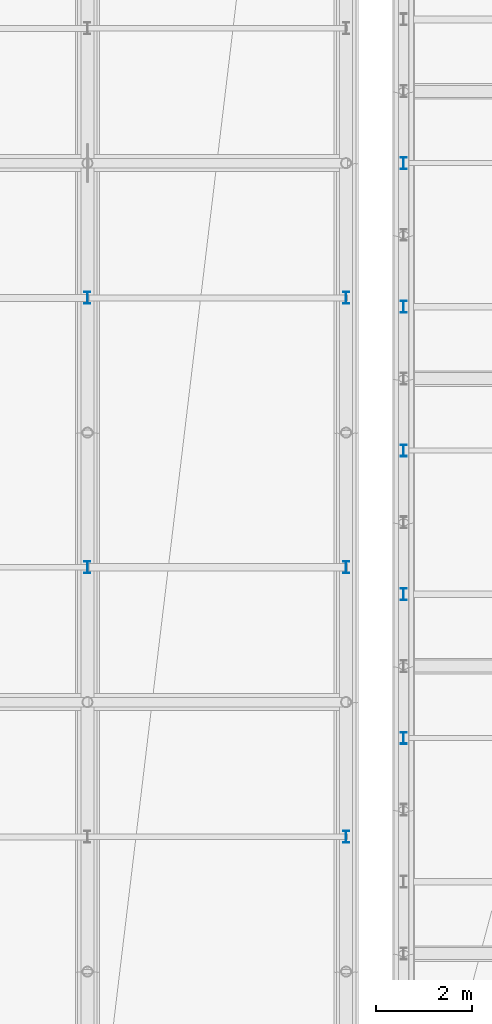
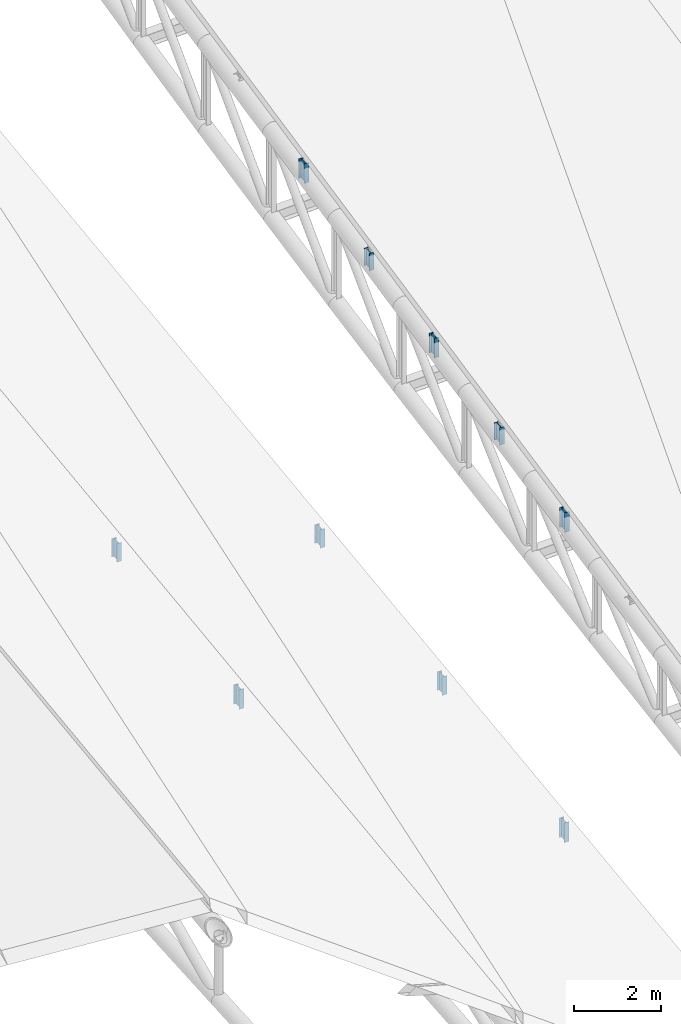
# One storey, part 80 of 109: 10 members.
"""IFC4 building model written with IfcOpenShell, lengths in metres."""

from ifc_helpers import new_model, si_unit, direction, frame, origin, origin_2d, place, context, subcontext, project, spatial, i_section, extrude, material, material_profile, profile_set, type_object, element, save


model = new_model("IFC4")

# Units and contexts
model_context = context("Model", 3, precision=1e-05, world=origin(), true_north=direction((0.0, 1.0)))
body_context = subcontext(model_context, "Body", "Model", "MODEL_VIEW")
ifc_project = project(units=[si_unit("LENGTHUNIT", "METRE"), si_unit("AREAUNIT", "SQUARE_METRE"), si_unit("VOLUMEUNIT", "CUBIC_METRE"), si_unit("PLANEANGLEUNIT", "RADIAN"), si_unit("MASSUNIT", "GRAM", prefix="KILO")], contexts=[model_context])

# Site, building, storey
site_placement = place(None, origin())
site = spatial("IfcSite", under=ifc_project, at=site_placement, CompositionType="ELEMENT")
building_placement = place(site_placement, origin())
building = spatial("IfcBuilding", under=site, at=building_placement, Name="Suirenkawa Promenade Aquatics Centre", CompositionType="ELEMENT")
storey_placement = place(building_placement, frame((0.0, 0.0, 22.800048828125)))
storey = spatial("IfcBuildingStorey", under=building, at=storey_placement, Name="ROOF", CompositionType="ELEMENT", Elevation=22.800048828125)

# Members
ifc_material = material(Name="Steel IS 2062 E350 (Grade 350)", Category="steel")
ifc_material_profile = material_profile(ifc_material, i_section(OverallWidth=0.125, OverallDepth=0.25, WebThickness=0.007080078125, FlangeThickness=0.012939453125, at=origin_2d()), Name="ISMB 250", Category="steel")
ifc_profile_set = profile_set([ifc_material_profile], Name="Steel IS 2062 E350 (Grade 350)")
member_type = type_object("IfcMemberType", Name="MT-WEB-CHS168", PredefinedType="BRACE", material=ifc_profile_set)
member_1_placement = place(storey_placement, frame((149.39990234375, 64.462890625, -11.906982421875), z_axis=(0.0, 0.0, 1.0), x_axis=(1.0, 0.0, 0.0)))
element("IfcMember", 1, at=member_1_placement, inside=storey, type_object=member_type, Name="ROOF TRUSS Purlin cleat post TD-03 MB-2342", PredefinedType="BRACE", context=body_context, shape_type="SweptSolid", body=[
    extrude(i_section(OverallWidth=0.125, OverallDepth=0.25, WebThickness=0.007080078125, FlangeThickness=0.012939453125, at=origin_2d()), origin(), (0.0, 0.0, 1.0), 0.5458984375),
])
member_2_placement = place(storey_placement, frame((149.39990234375, 70.087890625, -11.18212890625), z_axis=(0.0, 0.0, 1.0), x_axis=(1.0, 0.0, 0.0)))
element("IfcMember", 2, at=member_2_placement, inside=storey, type_object=member_type, Name="ROOF TRUSS Purlin cleat post TD-03 MB-2344", PredefinedType="BRACE", context=body_context, shape_type="SweptSolid", body=[
    extrude(i_section(OverallWidth=0.125, OverallDepth=0.25, WebThickness=0.007080078125, FlangeThickness=0.012939453125, at=origin_2d()), origin(), (0.0, 0.0, 1.0), 0.51904296875),
])
member_3_placement = place(storey_placement, frame((154.800048828125, 58.8369140625, -14.133056640625), z_axis=(0.0, 0.0, 1.0), x_axis=(1.0, 0.0, 0.0)))
element("IfcMember", 3, at=member_3_placement, inside=storey, type_object=member_type, Name="ROOF TRUSS Purlin cleat post TD-03 MB-2376", PredefinedType="BRACE", context=body_context, shape_type="SweptSolid", body=[
    extrude(i_section(OverallWidth=0.125, OverallDepth=0.25, WebThickness=0.007080078125, FlangeThickness=0.012939453125, at=origin_2d()), origin(), (0.0, 0.0, 1.0), 0.547119140625),
])
member_4_placement = place(storey_placement, frame((154.800048828125, 64.462890625, -13.406982421875), z_axis=(0.0, 0.0, 1.0), x_axis=(1.0, 0.0, 0.0)))
element("IfcMember", 4, at=member_4_placement, inside=storey, type_object=member_type, Name="ROOF TRUSS Purlin cleat post TD-03 MB-2378", PredefinedType="BRACE", context=body_context, shape_type="SweptSolid", body=[
    extrude(i_section(OverallWidth=0.125, OverallDepth=0.25, WebThickness=0.007080078125, FlangeThickness=0.012939453125, at=origin_2d()), origin(), (0.0, 0.0, 1.0), 0.51904296875),
])
member_5_placement = place(storey_placement, frame((154.800048828125, 70.087890625, -12.68212890625), z_axis=(0.0, 0.0, 1.0), x_axis=(1.0, 0.0, 0.0)))
element("IfcMember", 5, at=member_5_placement, inside=storey, type_object=member_type, Name="ROOF TRUSS Purlin cleat post TD-03 MB-2380", PredefinedType="BRACE", context=body_context, shape_type="SweptSolid", body=[
    extrude(i_section(OverallWidth=0.125, OverallDepth=0.25, WebThickness=0.007080078125, FlangeThickness=0.012939453125, at=origin_2d()), origin(), (0.0, 0.0, 1.0), 0.52099609375),
])
member_6_placement = place(storey_placement, frame((156.0, 60.89990234375, -7.0830078125), z_axis=(0.0, 0.0, 1.0), x_axis=(1.0, 0.0, 0.0)))
element("IfcMember", 6, at=member_6_placement, inside=storey, type_object=member_type, Name="ROOF TRUSS Purlin cleat post TD-03 MB-2420", PredefinedType="BRACE", context=body_context, shape_type="SweptSolid", body=[
    extrude(i_section(OverallWidth=0.125, OverallDepth=0.25, WebThickness=0.007080078125, FlangeThickness=0.012939453125, at=origin_2d()), origin(), (0.0, 0.0, 1.0), 0.550048828125),
])
member_7_placement = place(storey_placement, frame((156.0, 63.89990234375, -6.449951171875), z_axis=(0.0, 0.0, 1.0), x_axis=(1.0, 0.0, 0.0)))
element("IfcMember", 7, at=member_7_placement, inside=storey, type_object=member_type, Name="ROOF TRUSS Purlin cleat post TD-03 MB-2423", PredefinedType="BRACE", context=body_context, shape_type="SweptSolid", body=[
    extrude(i_section(OverallWidth=0.125, OverallDepth=0.25, WebThickness=0.007080078125, FlangeThickness=0.012939453125, at=origin_2d()), origin(), (0.0, 0.0, 1.0), 0.48583984375),
])
member_8_placement = place(storey_placement, frame((156.0, 66.89990234375, -5.817138671875), z_axis=(0.0, 0.0, 1.0), x_axis=(1.0, 0.0, 0.0)))
element("IfcMember", 8, at=member_8_placement, inside=storey, type_object=member_type, Name="ROOF TRUSS Purlin cleat post TD-03 MB-2426", PredefinedType="BRACE", context=body_context, shape_type="SweptSolid", body=[
    extrude(i_section(OverallWidth=0.125, OverallDepth=0.25, WebThickness=0.007080078125, FlangeThickness=0.012939453125, at=origin_2d()), origin(), (0.0, 0.0, 1.0), 0.551025390625),
])
member_9_placement = place(storey_placement, frame((156.0, 69.89990234375, -5.18310546875), z_axis=(0.0, 0.0, 1.0), x_axis=(1.0, 0.0, 0.0)))
element("IfcMember", 9, at=member_9_placement, inside=storey, type_object=member_type, Name="ROOF TRUSS Purlin cleat post TD-03 MB-2429", PredefinedType="BRACE", context=body_context, shape_type="SweptSolid", body=[
    extrude(i_section(OverallWidth=0.125, OverallDepth=0.25, WebThickness=0.007080078125, FlangeThickness=0.012939453125, at=origin_2d()), origin(), (0.0, 0.0, 1.0), 0.486083984375),
])
member_10_placement = place(storey_placement, frame((156.0, 72.89990234375, -4.550048828125), z_axis=(0.0, 0.0, 1.0), x_axis=(1.0, 0.0, 0.0)))
element("IfcMember", 10, at=member_10_placement, inside=storey, type_object=member_type, Name="ROOF TRUSS Purlin cleat post TD-03 MB-2432", PredefinedType="BRACE", context=body_context, shape_type="SweptSolid", body=[
    extrude(i_section(OverallWidth=0.125, OverallDepth=0.25, WebThickness=0.007080078125, FlangeThickness=0.012939453125, at=origin_2d()), origin(), (0.0, 0.0, 1.0), 0.551025390625),
])

save(model, "model.ifc")
